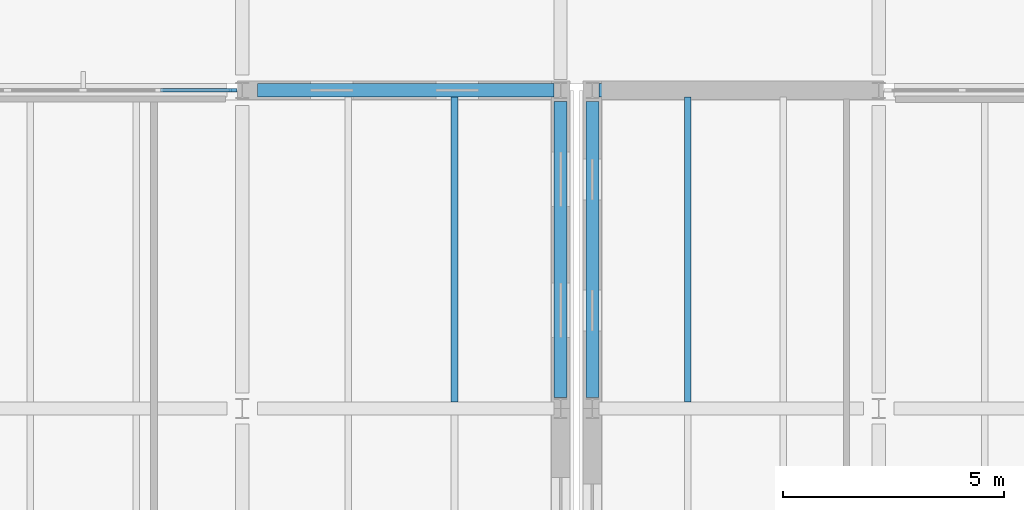
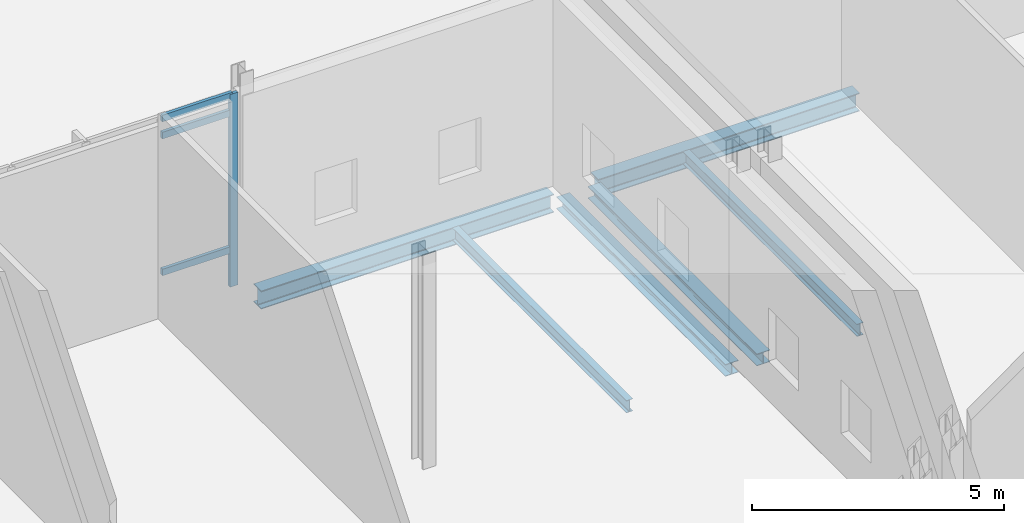
# One storey, part 16 of 89: 6 beams, 4 members, 1 element without a shape of its own.
"""IFC4 building model written with IfcOpenShell, lengths in metres."""

import ifcopenshell
import ifcopenshell.guid

model = None  # the IFC model being written
_history = None  # IfcOwnerHistory: only IFC2X3 demands one
_inside = {}  # id of a spatial element -> (the spatial element, [elements in it])
_under = {}  # id of a project, library or spatial element -> (it, [spatial elements below it])
_declared = {}  # id of a project -> (the project, [libraries it declares])
_typed = {}  # id of a type object -> (the type object, [elements of that type])
_made_of = {}  # id of a material, layer set ... -> (it, [elements and type objects made of it])


def new_model(schema):
    """Start an empty IFC model of exactly this schema.

    Asked for "IFC4X3", IfcOpenShell would pick the latest addendum, in which some entities
    have other attributes; the version numbers below select the first issue.
    IFC2X3 requires an IfcOwnerHistory on every rooted entity: one is made here for all.
    """
    global model, _history
    if schema == "IFC4X3":
        model = ifcopenshell.file(schema_version=(4, 3, 0, 0))
    else:
        model = ifcopenshell.file(schema=schema)
    _inside.clear()
    _under.clear()
    _declared.clear()
    _typed.clear()
    _made_of.clear()
    _history = None
    if model.schema == "IFC2X3":
        org = make("IfcOrganization", Name="unknown")
        user = make(
            "IfcPersonAndOrganization",
            ThePerson=make("IfcPerson", FamilyName="unknown"),
            TheOrganization=org,
        )
        app = make(
            "IfcApplication",
            ApplicationDeveloper=org,
            Version="unknown",
            ApplicationFullName="unknown",
            ApplicationIdentifier="unknown",
        )
        _history = make(
            "IfcOwnerHistory",
            OwningUser=user,
            OwningApplication=app,
            ChangeAction="ADDED",
            CreationDate=0,
        )
    return model


def make(cls, **values):
    """One entity of the class cls with the attributes given. An attribute that is None is left unset."""
    return model.create_entity(
        cls, **{name: value for name, value in values.items() if value is not None}
    )


def rooted(cls, **values):
    """An entity with a GlobalId (a new one), such as an element, a storey or a relation."""
    return make(cls, GlobalId=ifcopenshell.guid.new(), OwnerHistory=_history, **values)


def si_unit(unit_type, name, prefix=None):
    """IfcSIUnit, for example si_unit("LENGTHUNIT", "METRE", prefix="MILLI")."""
    return make("IfcSIUnit", UnitType=unit_type, Prefix=prefix, Name=name)


def assignment(units):
    """IfcUnitAssignment: the units of a project."""
    return None if units is None else make("IfcUnitAssignment", Units=units)


def point(xyz):
    """IfcCartesianPoint."""
    return None if xyz is None else make("IfcCartesianPoint", Coordinates=xyz)


def direction(xyz):
    """IfcDirection."""
    return None if xyz is None else make("IfcDirection", DirectionRatios=xyz)


def frame(location, z_axis=None, x_axis=None):
    """IfcAxis2Placement3D, a coordinate frame: its origin and axes. An axis left out is left unset."""
    return make(
        "IfcAxis2Placement3D",
        Location=point(location),
        Axis=direction(z_axis),
        RefDirection=direction(x_axis),
    )


def frame_2d(location, x_axis=None):
    """IfcAxis2Placement2D, a coordinate frame in the plane: its origin and x axis."""
    return make(
        "IfcAxis2Placement2D", Location=point(location), RefDirection=direction(x_axis)
    )


def origin():
    """The frame at (0, 0, 0) with its axes left unset."""
    return frame((0.0, 0.0, 0.0))


def origin_2d():
    """The frame at (0, 0) in the plane with its x axis left unset."""
    return frame_2d((0.0, 0.0))


def place(relative_to, where):
    """IfcLocalPlacement: puts the frame where relative to a parent placement (None: the world)."""
    return make(
        "IfcLocalPlacement", PlacementRelTo=relative_to, RelativePlacement=where
    )


def context(
    kind, dimensions, precision=None, world=None, true_north=None, identifier=None
):
    """IfcGeometricRepresentationContext, for example the 3D "Model" context."""
    return make(
        "IfcGeometricRepresentationContext",
        ContextIdentifier=identifier,
        ContextType=kind,
        CoordinateSpaceDimension=dimensions,
        Precision=precision,
        WorldCoordinateSystem=world,
        TrueNorth=true_north,
    )


def subcontext(parent, identifier, kind, view, scale=None):
    """IfcGeometricRepresentationSubContext, for example "Body" below "Model"."""
    return make(
        "IfcGeometricRepresentationSubContext",
        ContextIdentifier=identifier,
        ContextType=kind,
        ParentContext=parent,
        TargetScale=scale,
        TargetView=view,
    )


def project(units=None, contexts=None):
    """IfcProject with its units and contexts."""
    return rooted(
        "IfcProject",
        Name="project",
        RepresentationContexts=contexts,
        UnitsInContext=assignment(units),
    )


def spatial(cls, under=None, at=None, **own):
    """A site, building, storey or space (cls), placed at a placement, below another one or the project."""
    s = rooted(cls, ObjectPlacement=at, **own)
    if under is not None:
        _under.setdefault(under.id(), (under, []))[1].append(s)
    return s


def profile(cls, at=None, kind="AREA", **sizes):
    """A parametric profile (cls). Its sizes go by their IFC names, for example OverallWidth=200.0."""
    return make(cls, ProfileType=kind, Position=at, **sizes)


def rectangle(**sizes):
    """IfcRectangleProfileDef."""
    return profile("IfcRectangleProfileDef", **sizes)


def i_section(**sizes):
    """IfcIShapeProfileDef."""
    return profile("IfcIShapeProfileDef", **sizes)


def extrude(swept, where, along, depth):
    """IfcExtrudedAreaSolid: the profile swept, set in the frame where, extruded along a direction by depth."""
    return make(
        "IfcExtrudedAreaSolid",
        SweptArea=swept,
        Position=where,
        ExtrudedDirection=direction(along),
        Depth=depth,
    )


def shape(context_of_items, identifier, shape_type, items):
    """IfcShapeRepresentation: the items that make up one representation, for example the "Body"."""
    return make(
        "IfcShapeRepresentation",
        ContextOfItems=context_of_items,
        RepresentationIdentifier=identifier,
        RepresentationType=shape_type,
        Items=items,
    )


def material(Name=None, Category=None):
    """IfcMaterial."""
    return make("IfcMaterial", Name=Name, Category=Category)


def layer(
    of_material, thickness, ventilated=None, Name=None, Category=None, Priority=None
):
    """IfcMaterialLayer: one layer of a wall or slab, of a material (None: an air gap)."""
    return make(
        "IfcMaterialLayer",
        Material=of_material,
        LayerThickness=thickness,
        IsVentilated=ventilated,
        Name=Name,
        Category=Category,
        Priority=Priority,
    )


def layer_set(layers, Name=None):
    """IfcMaterialLayerSet."""
    return make("IfcMaterialLayerSet", MaterialLayers=layers, LayerSetName=Name)


def material_profile(
    of_material, cross_section, Name=None, Category=None, Priority=None
):
    """IfcMaterialProfile: a cross section and its material."""
    return make(
        "IfcMaterialProfile",
        Name=Name,
        Material=of_material,
        Profile=cross_section,
        Priority=Priority,
        Category=Category,
    )


def profile_set(profiles, Name=None, composite=None):
    """IfcMaterialProfileSet."""
    return make(
        "IfcMaterialProfileSet",
        Name=Name,
        MaterialProfiles=profiles,
        CompositeProfile=composite,
    )


def made_of(thing, what):
    """Note that an element or type object is made of a material, layer set ...; save() writes the relation."""
    if what is not None:
        _made_of.setdefault(what.id(), (what, []))[1].append(thing)
    return thing


def type_object(cls, material=None, **own):
    """A type object (cls), such as IfcWallType, which elements share."""
    return made_of(rooted(cls, **own), material)


def element(
    cls,
    number,
    at=None,
    inside=None,
    cuts=None,
    type_object=None,
    material=None,
    context=None,
    identifier="Body",
    shape_type=None,
    held_by="IfcProductDefinitionShape",
    body=None,
    shapes=None,
    **own,
):
    """One element of the class cls, such as IfcWall. Its Tag is "e" and its number.

    at: its placement. inside: the storey or other place that contains it. cuts: it is an
    opening in that element (IfcRelVoidsElement). A single representation is given by context,
    identifier, shape_type and body (its items); several are given by shapes. held_by: the class
    of the entity that holds the representations. save() writes the other relations.
    """
    e = rooted(cls, Tag="e%d" % number, ObjectPlacement=at, **own)
    if body is not None:
        shapes = [shape(context, identifier, shape_type, body)]
    if shapes is not None:
        e.Representation = make(held_by, Representations=shapes)
    if inside is not None:
        _inside.setdefault(inside.id(), (inside, []))[1].append(e)
    if cuts is not None:
        rooted(
            "IfcRelVoidsElement", RelatingBuildingElement=cuts, RelatedOpeningElement=e
        )
    if type_object is not None:
        _typed.setdefault(type_object.id(), (type_object, []))[1].append(e)
    return made_of(e, material)


def aggregate(whole, parts):
    """IfcRelAggregates: a whole, such as a stair, and the parts it consists of."""
    return rooted("IfcRelAggregates", RelatingObject=whole, RelatedObjects=parts)


def save(model, path):
    """Write the relations noted so far, then the file.

    IfcRelAggregates (storeys below a building ...), IfcRelContainedInSpatialStructure (elements
    in a storey), IfcRelDefinesByType, IfcRelAssociatesMaterial and IfcRelDeclares: one each for
    every whole, place, type object, material and project.
    """
    for whole, parts in _under.values():
        aggregate(whole, parts)
    for where, things in _inside.values():
        rooted(
            "IfcRelContainedInSpatialStructure",
            RelatedElements=things,
            RelatingStructure=where,
        )
    for kind, things in _typed.values():
        rooted("IfcRelDefinesByType", RelatedObjects=things, RelatingType=kind)
    for what, things in _made_of.values():
        rooted("IfcRelAssociatesMaterial", RelatedObjects=things, RelatingMaterial=what)
    for by, libraries in _declared.values():
        rooted("IfcRelDeclares", RelatingContext=by, RelatedDefinitions=libraries)
    model.write(path)


model = new_model("IFC4")

# Units and contexts
model_context = context("Model", 3, precision=1e-05, world=origin(), true_north=direction((0.0, 1.0)))
body_context = subcontext(model_context, "Body", "Model", "MODEL_VIEW")
ifc_project = project(units=[si_unit("LENGTHUNIT", "METRE"), si_unit("AREAUNIT", "SQUARE_METRE"), si_unit("VOLUMEUNIT", "CUBIC_METRE"), si_unit("PLANEANGLEUNIT", "RADIAN"), si_unit("MASSUNIT", "GRAM", prefix="KILO")], contexts=[model_context])

# Site, building, storey
site_placement = place(None, origin())
site = spatial("IfcSite", under=ifc_project, at=site_placement, CompositionType="ELEMENT")
building_placement = place(site_placement, origin())
building = spatial("IfcBuilding", under=site, at=building_placement, Name="Zarrinpeak Specialist Clinic", CompositionType="ELEMENT")
storey_placement = place(building_placement, origin())
storey = spatial("IfcBuildingStorey", under=building, at=storey_placement, Name="L00", CompositionType="ELEMENT", Elevation=0.0)

# Beams
ifc_material_1 = material(Name="Steel S355", Category="steel")
ifc_material_profile_1 = material_profile(ifc_material_1, i_section(OverallWidth=0.300048828125, OverallDepth=0.2900390625, WebThickness=0.008544921875, FlangeThickness=0.013916015625, FilletRadius=0.027099609375, at=origin_2d()), Name="HEA 300")
ifc_profile_set_1 = profile_set([ifc_material_profile_1], Name="Steel S355")
beam_type_1 = type_object("IfcBeamType", Name="BM-HEA300", PredefinedType="BEAM", material=ifc_profile_set_1)
for number, where, z_axis, x_axis, name in (
    (1, (57.60009765625, 21.847900390625, -0.39501953125), (0.0, 1.0, 0.0), (-1.0, 0.0, 0.0), "L00 Primary Beam BM-L00-Y0313"),
    (2, (58.320068359375, 21.847900390625, -0.39501953125), (0.0, 1.0, 0.0), (-1.0, 0.0, 0.0), "L00 Primary Beam BM-L00-Y0328"),
):
    element("IfcBeam", number, at=place(storey_placement, frame(where, z_axis=z_axis, x_axis=x_axis)), inside=storey, type_object=beam_type_1, Name=name, PredefinedType="BEAM", context=body_context, shape_type="SweptSolid", body=[
        extrude(i_section(OverallWidth=0.300048828125, OverallDepth=0.2900390625, WebThickness=0.008544921875, FlangeThickness=0.013916015625, FilletRadius=0.027099609375, at=origin_2d()), origin(), (0.0, 0.0, 1.0), 6.7041015625),
    ])
ifc_material_profile_2 = material_profile(ifc_material_1, i_section(OverallWidth=0.300048828125, OverallDepth=0.43994140625, WebThickness=0.011474609375, FlangeThickness=0.02099609375, FilletRadius=0.027099609375, at=origin_2d()), Name="HEA 450")
ifc_profile_set_2 = profile_set([ifc_material_profile_2], Name="Steel S355")
beam_type_2 = type_object("IfcBeamType", Name="BM-HEA450", PredefinedType="BEAM", material=ifc_profile_set_2)
beam_1_placement = place(storey_placement, frame((50.748046875, 28.800048828125, -0.469970703125), z_axis=(1.0, 0.0, 0.0), x_axis=(0.0, 1.0, 0.0)))
element("IfcBeam", 3, at=beam_1_placement, inside=storey, type_object=beam_type_2, Name="L00 Primary Floor Girder BM-L00-X0047", PredefinedType="BEAM", context=body_context, shape_type="SweptSolid", body=[
    extrude(i_section(OverallWidth=0.300048828125, OverallDepth=0.43994140625, WebThickness=0.011474609375, FlangeThickness=0.02099609375, FilletRadius=0.027099609375, at=origin_2d()), origin(), (0.0, 0.0, 1.0), 6.703857421875),
])
beam_2_placement = place(storey_placement, frame((58.468017578125, 28.800048828125, -0.469970703125), z_axis=(1.0, 0.0, 0.0), x_axis=(0.0, 1.0, 0.0)))
element("IfcBeam", 4, at=beam_2_placement, inside=storey, type_object=beam_type_2, Name="L00 Primary Floor Girder BM-L00-X0048", PredefinedType="BEAM", context=body_context, shape_type="SweptSolid", body=[
    extrude(i_section(OverallWidth=0.300048828125, OverallDepth=0.43994140625, WebThickness=0.011474609375, FlangeThickness=0.02099609375, FilletRadius=0.027099609375, at=origin_2d()), origin(), (0.0, 0.0, 1.0), 5.98388671875),
])
ifc_material_profile_3 = material_profile(ifc_material_1, i_section(OverallWidth=0.14990234375, OverallDepth=0.300048828125, WebThickness=0.007080078125, FlangeThickness=0.0107421875, FilletRadius=0.014892578125, at=origin_2d()), Name="IPE 300")
ifc_profile_set_3 = profile_set([ifc_material_profile_3], Name="Steel S355")
beam_type_3 = type_object("IfcBeamType", Name="BM-JST300", PredefinedType="JOIST", material=ifc_profile_set_3)
for number, where, z_axis, x_axis, name in (
    (5, (55.199951171875, 21.748046875, -0.39990234375), (0.0, 1.0, 0.0), (-1.0, 0.0, 0.0), "L00 Composite Floor Joist JST-L00-0480"),
    (6, (60.47998046875, 21.748046875, -0.39990234375), (0.0, 1.0, 0.0), (-1.0, 0.0, 0.0), "L00 Composite Floor Joist JST-L00-0483"),
):
    element("IfcBeam", number, at=place(storey_placement, frame(where, z_axis=z_axis, x_axis=x_axis)), inside=storey, type_object=beam_type_3, Name=name, PredefinedType="JOIST", context=body_context, shape_type="SweptSolid", body=[
        extrude(i_section(OverallWidth=0.14990234375, OverallDepth=0.300048828125, WebThickness=0.007080078125, FlangeThickness=0.0107421875, FilletRadius=0.014892578125, at=origin_2d()), origin(), (0.0, 0.0, 1.0), 6.904052734375),
    ])

# Curtain wall, members
ifc_material_2 = material(Name="Anodised Aluminium Alloy 6063-T6", Category="aluminium")
ifc_layer = layer(ifc_material_2, 0.179931640625)
ifc_layer_set = layer_set([ifc_layer], Name="Anodised Aluminium Alloy 6063-T6")
curtain_wall_type = type_object("IfcCurtainWallType", Name="CW-COURT", PredefinedType="NOTDEFINED", material=ifc_layer_set)
curtain_wall_placement = place(storey_placement, origin())
curtain_wall = element("IfcCurtainWall", 7, at=curtain_wall_placement, inside=storey, type_object=curtain_wall_type, Name="L00 V2 Unitised Curtain Wall CW-L00-V2-044", PredefinedType="NOTDEFINED")
ifc_material_profile_4 = material_profile(ifc_material_2, rectangle(XDim=0.074951171875, YDim=0.179931640625, at=origin_2d()), Name="ALU 75x180")
ifc_profile_set_4 = profile_set([ifc_material_profile_4], Name="Anodised Aluminium Alloy 6063-T6")
member_type_1 = type_object("IfcMemberType", Name="CWM-75", PredefinedType="MULLION", material=ifc_profile_set_4)
member_1_placement = place(storey_placement, frame((50.1875, 28.800048828125, 0.0), z_axis=(0.0, 0.0, 1.0), x_axis=(0.0, -1.0, 0.0)))
member_1 = element("IfcMember", 8, at=member_1_placement, type_object=member_type_1, Name="CW-01 mullion 1", PredefinedType="MULLION", context=body_context, shape_type="SweptSolid", body=[
    extrude(rectangle(XDim=0.074951171875, YDim=0.179931640625, at=origin_2d()), origin(), (0.0, 0.0, 1.0), 4.6650390625),
])
ifc_material_profile_5 = material_profile(ifc_material_2, rectangle(XDim=0.074951171875, YDim=0.159912109375, at=origin_2d()), Name="ALU 75x160")
ifc_profile_set_5 = profile_set([ifc_material_profile_5], Name="Anodised Aluminium Alloy 6063-T6")
member_type_2 = type_object("IfcMemberType", Name="CWT-75", PredefinedType="USERDEFINED", material=ifc_profile_set_5)
member_2_placement = place(storey_placement, frame((50.14990234375, 28.800048828125, 0.89990234375), z_axis=(-1.0, 0.0, 0.0), x_axis=(0.0, -1.0, 0.0)))
member_2 = element("IfcMember", 9, at=member_2_placement, type_object=member_type_2, Name="CW-01 transom 1.2", ObjectType="TRANSOM", PredefinedType="USERDEFINED", context=body_context, shape_type="SweptSolid", body=[
    extrude(rectangle(XDim=0.074951171875, YDim=0.159912109375, at=origin_2d()), origin(), (0.0, 0.0, 1.0), 1.599853515625),
])
member_3_placement = place(storey_placement, frame((50.14990234375, 28.800048828125, 4.215087890625), z_axis=(-1.0, 0.0, 0.0), x_axis=(0.0, -1.0, 0.0)))
member_3 = element("IfcMember", 10, at=member_3_placement, type_object=member_type_2, Name="CW-01 transom 1.3", ObjectType="TRANSOM", PredefinedType="USERDEFINED", context=body_context, shape_type="SweptSolid", body=[
    extrude(rectangle(XDim=0.074951171875, YDim=0.159912109375, at=origin_2d()), origin(), (0.0, 0.0, 1.0), 1.599853515625),
])
member_4_placement = place(storey_placement, frame((50.14990234375, 28.800048828125, 4.62744140625), z_axis=(-1.0, 0.0, 0.0), x_axis=(0.0, -1.0, 0.0)))
member_4 = element("IfcMember", 11, at=member_4_placement, type_object=member_type_2, Name="CW-01 transom 1.4", ObjectType="TRANSOM", PredefinedType="USERDEFINED", context=body_context, shape_type="SweptSolid", body=[
    extrude(rectangle(XDim=0.074951171875, YDim=0.159912109375, at=origin_2d()), origin(), (0.0, 0.0, 1.0), 1.599853515625),
])
aggregate(curtain_wall, [member_1, member_2, member_3, member_4])

save(model, "model.ifc")
